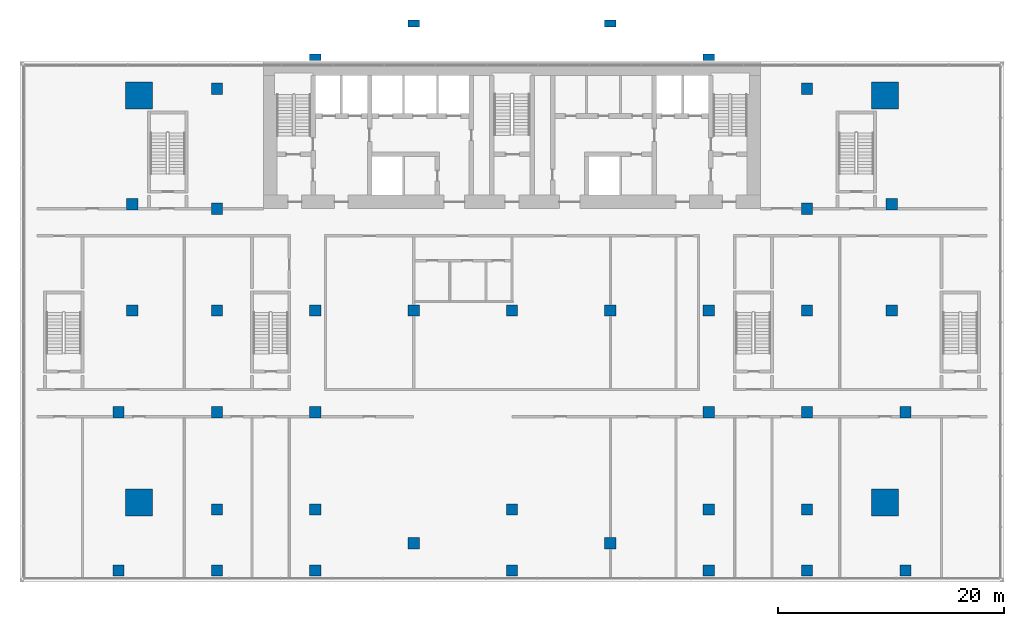
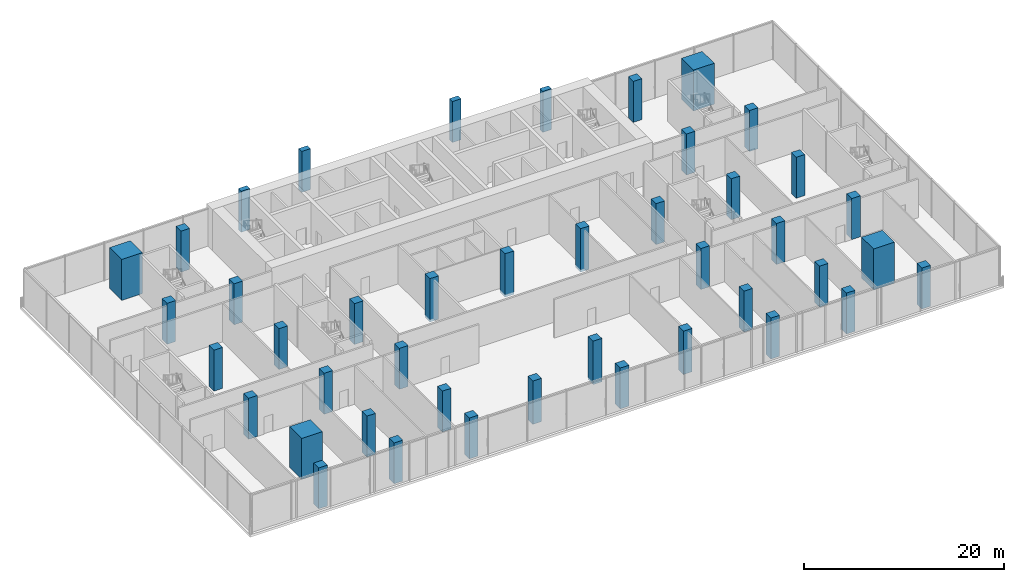
# One storey, part 1 of 20: 43 columns.
"""IFC4 building model written with IfcOpenShell, lengths in metres."""

from ifc_helpers import new_model, si_unit, direction, frame, origin, origin_2d, place, context, subcontext, project, spatial, rectangle, extrude, material, material_profile, profile_set, type_object, element, save


model = new_model("IFC4")

# Units and contexts
model_context = context("Model", 3, precision=1e-05, world=origin(), true_north=direction((0.0, 1.0)))
body_context = subcontext(model_context, "Body", "Model", "MODEL_VIEW")
ifc_project = project(units=[si_unit("LENGTHUNIT", "METRE"), si_unit("AREAUNIT", "SQUARE_METRE"), si_unit("VOLUMEUNIT", "CUBIC_METRE"), si_unit("PLANEANGLEUNIT", "RADIAN"), si_unit("MASSUNIT", "GRAM", prefix="KILO")], contexts=[model_context])

# Site, building, storey
site_placement = place(None, origin())
site = spatial("IfcSite", under=ifc_project, at=site_placement, CompositionType="ELEMENT")
building_placement = place(site_placement, origin())
building = spatial("IfcBuilding", under=site, at=building_placement, Name="Bicima Exchange Tower", CompositionType="ELEMENT")
storey_placement = place(building_placement, frame((0.0, 0.0, 25.0)))
storey = spatial("IfcBuildingStorey", under=building, at=storey_placement, Name="L04", CompositionType="ELEMENT", Elevation=25.0)

# Columns
ifc_material = material(Name="Concrete C60/75", Category="concrete")
ifc_material_profile_1 = material_profile(ifc_material, rectangle(XDim=2.39990234375, YDim=2.39990234375, at=origin_2d()))
ifc_profile_set_1 = profile_set([ifc_material_profile_1], Name="Concrete C60/75")
column_type_1 = type_object("IfcColumnType", Name="Reinforced concrete mega column 2400 x 2400", PredefinedType="COLUMN", material=ifc_profile_set_1)
for number, where, z_axis, x_axis, name in (
    (1, (-33.0, -39.0, 0.0), (0.0, 0.0, 1.0), (1.0, 0.0, 0.0), "Mega column"),
    (2, (-33.0, -3.0, 0.0), (0.0, 0.0, 1.0), (1.0, 0.0, 0.0), "Mega column"),
    (3, (33.0, -39.0, 0.0), (0.0, 0.0, 1.0), (1.0, 0.0, 0.0), "Mega column"),
    (4, (33.0, -3.0, 0.0), (0.0, 0.0, 1.0), (1.0, 0.0, 0.0), "Mega column"),
):
    element("IfcColumn", number, at=place(storey_placement, frame(where, z_axis=z_axis, x_axis=x_axis)), inside=storey, type_object=column_type_1, Name=name, PredefinedType="COLUMN", context=body_context, shape_type="SweptSolid", body=[
        extrude(rectangle(XDim=2.39990234375, YDim=2.39990234375, at=origin_2d()), origin(), (0.0, 0.0, 1.0), 5.0),
    ])
ifc_material_profile_2 = material_profile(ifc_material, rectangle(XDim=1.0, YDim=1.0, at=origin_2d()))
ifc_profile_set_2 = profile_set([ifc_material_profile_2], Name="Concrete C60/75")
column_type_2 = type_object("IfcColumnType", Name="Reinforced concrete podium column 1000 x 1000", PredefinedType="COLUMN", material=ifc_profile_set_2)
for number, where, z_axis, x_axis, name in (
    (5, (-26.10009765625, -39.60009765625, 0.0), (0.0, 0.0, 1.0), (1.0, 0.0, 0.0), "Column"),
    (6, (-26.10009765625, -2.39990234375, 0.0), (0.0, 0.0, 1.0), (1.0, 0.0, 0.0), "Column"),
    (7, (-17.39990234375, -39.60009765625, 0.0), (0.0, 0.0, 1.0), (1.0, 0.0, 0.0), "Column"),
):
    element("IfcColumn", number, at=place(storey_placement, frame(where, z_axis=z_axis, x_axis=x_axis)), inside=storey, type_object=column_type_2, Name=name, PredefinedType="COLUMN", context=body_context, shape_type="SweptSolid", body=[
        extrude(rectangle(XDim=1.0, YDim=1.0, at=origin_2d()), origin(), (0.0, 0.0, 1.0), 5.0),
    ])
for number, where, z_axis, x_axis, name in (
    (8, (-8.699951171875, -42.591064453125, -0.300048828125), (0.0, 0.0, 1.0), (1.0, 0.0, 0.0), "Column"),
    (9, (0.0, -39.60009765625, -0.300048828125), (0.0, 0.0, 1.0), (1.0, 0.0, 0.0), "Column"),
    (10, (8.699951171875, -42.591064453125, -0.300048828125), (0.0, 0.0, 1.0), (1.0, 0.0, 0.0), "Column"),
):
    element("IfcColumn", number, at=place(storey_placement, frame(where, z_axis=z_axis, x_axis=x_axis)), inside=storey, type_object=column_type_2, Name=name, PredefinedType="COLUMN", context=body_context, shape_type="SweptSolid", body=[
        extrude(rectangle(XDim=1.0, YDim=1.0, at=origin_2d()), origin(), (0.0, 0.0, 1.0), 5.300048828125),
    ])
for number, where, z_axis, x_axis, name in (
    (11, (17.39990234375, -39.60009765625, 0.0), (0.0, 0.0, 1.0), (1.0, 0.0, 0.0), "Column"),
    (12, (26.10009765625, -39.60009765625, 0.0), (0.0, 0.0, 1.0), (1.0, 0.0, 0.0), "Column"),
    (13, (26.10009765625, -2.39990234375, 0.0), (0.0, 0.0, 1.0), (1.0, 0.0, 0.0), "Column"),
    (14, (-33.60009765625, -12.60009765625, 0.0), (0.0, 0.0, 1.0), (1.0, 0.0, 0.0), "Column"),
    (15, (-33.60009765625, -22.0, 0.0), (0.0, 0.0, 1.0), (1.0, 0.0, 0.0), "Column"),
    (16, (33.60009765625, -12.60009765625, 0.0), (0.0, 0.0, 1.0), (1.0, 0.0, 0.0), "Column"),
    (17, (33.60009765625, -22.0, 0.0), (0.0, 0.0, 1.0), (1.0, 0.0, 0.0), "Column"),
    (18, (-26.10009765625, -22.0, 0.0), (0.0, 0.0, 1.0), (1.0, 0.0, 0.0), "Column"),
    (19, (-17.39990234375, -22.0, 0.0), (0.0, 0.0, 1.0), (1.0, 0.0, 0.0), "Column"),
):
    element("IfcColumn", number, at=place(storey_placement, frame(where, z_axis=z_axis, x_axis=x_axis)), inside=storey, type_object=column_type_2, Name=name, PredefinedType="COLUMN", context=body_context, shape_type="SweptSolid", body=[
        extrude(rectangle(XDim=1.0, YDim=1.0, at=origin_2d()), origin(), (0.0, 0.0, 1.0), 5.0),
    ])
for number, where, z_axis, x_axis, name in (
    (20, (-8.699951171875, -22.0, -0.300048828125), (0.0, 0.0, 1.0), (1.0, 0.0, 0.0), "Column"),
    (21, (0.0, -22.0, -0.300048828125), (0.0, 0.0, 1.0), (1.0, 0.0, 0.0), "Column"),
    (22, (8.699951171875, -22.0, -0.300048828125), (0.0, 0.0, 1.0), (1.0, 0.0, 0.0), "Column"),
):
    element("IfcColumn", number, at=place(storey_placement, frame(where, z_axis=z_axis, x_axis=x_axis)), inside=storey, type_object=column_type_2, Name=name, PredefinedType="COLUMN", context=body_context, shape_type="SweptSolid", body=[
        extrude(rectangle(XDim=1.0, YDim=1.0, at=origin_2d()), origin(), (0.0, 0.0, 1.0), 5.300048828125),
    ])
for number, where, z_axis, x_axis, name in (
    (23, (17.39990234375, -22.0, 0.0), (0.0, 0.0, 1.0), (1.0, 0.0, 0.0), "Column"),
    (24, (26.10009765625, -22.0, 0.0), (0.0, 0.0, 1.0), (1.0, 0.0, 0.0), "Column"),
    (25, (-34.800048828125, -31.0, 0.0), (0.0, 0.0, 1.0), (1.0, 0.0, 0.0), "Column"),
    (26, (-34.800048828125, -45.0, 0.0), (0.0, 0.0, 1.0), (1.0, 0.0, 0.0), "Column"),
    (27, (-26.10009765625, -13.0, 0.0), (0.0, 0.0, 1.0), (1.0, 0.0, 0.0), "Column"),
    (28, (-26.10009765625, -31.0, 0.0), (0.0, 0.0, 1.0), (1.0, 0.0, 0.0), "Column"),
    (29, (-26.10009765625, -45.0, 0.0), (0.0, 0.0, 1.0), (1.0, 0.0, 0.0), "Column"),
    (30, (-17.39990234375, -31.0, 0.0), (0.0, 0.0, 1.0), (1.0, 0.0, 0.0), "Column"),
    (31, (-17.39990234375, -45.0, 0.0), (0.0, 0.0, 1.0), (1.0, 0.0, 0.0), "Column"),
    (32, (0.0, -45.0, 0.0), (0.0, 0.0, 1.0), (1.0, 0.0, 0.0), "Column"),
    (33, (17.39990234375, -31.0, 0.0), (0.0, 0.0, 1.0), (1.0, 0.0, 0.0), "Column"),
    (34, (17.39990234375, -45.0, 0.0), (0.0, 0.0, 1.0), (1.0, 0.0, 0.0), "Column"),
    (35, (26.10009765625, -13.0, 0.0), (0.0, 0.0, 1.0), (1.0, 0.0, 0.0), "Column"),
    (36, (26.10009765625, -31.0, 0.0), (0.0, 0.0, 1.0), (1.0, 0.0, 0.0), "Column"),
    (37, (26.10009765625, -45.0, 0.0), (0.0, 0.0, 1.0), (1.0, 0.0, 0.0), "Column"),
    (38, (34.800048828125, -31.0, 0.0), (0.0, 0.0, 1.0), (1.0, 0.0, 0.0), "Column"),
    (39, (34.800048828125, -45.0, 0.0), (0.0, 0.0, 1.0), (1.0, 0.0, 0.0), "Column"),
):
    element("IfcColumn", number, at=place(storey_placement, frame(where, z_axis=z_axis, x_axis=x_axis)), inside=storey, type_object=column_type_2, Name=name, PredefinedType="COLUMN", context=body_context, shape_type="SweptSolid", body=[
        extrude(rectangle(XDim=1.0, YDim=1.0, at=origin_2d()), origin(), (0.0, 0.0, 1.0), 5.0),
    ])
ifc_material_profile_3 = material_profile(ifc_material, rectangle(XDim=1.0, YDim=0.60009765625, at=origin_2d()))
ifc_profile_set_3 = profile_set([ifc_material_profile_3], Name="Concrete C60/75")
column_type_3 = type_object("IfcColumnType", Name="Reinforced concrete rear pilaster column 1000 x 600", PredefinedType="COLUMN", material=ifc_profile_set_3)
for number, where, z_axis, x_axis, name in (
    (40, (-8.699951171875, 3.39111328125, 0.0), (0.0, 0.0, 1.0), (1.0, 0.0, 0.0), "Column"),
    (41, (-17.39990234375, 0.39990234375, 0.0), (0.0, 0.0, 1.0), (1.0, 0.0, 0.0), "Column"),
    (42, (8.699951171875, 3.39111328125, 0.0), (0.0, 0.0, 1.0), (1.0, 0.0, 0.0), "Column"),
    (43, (17.39990234375, 0.39990234375, 0.0), (0.0, 0.0, 1.0), (1.0, 0.0, 0.0), "Column"),
):
    element("IfcColumn", number, at=place(storey_placement, frame(where, z_axis=z_axis, x_axis=x_axis)), inside=storey, type_object=column_type_3, Name=name, PredefinedType="COLUMN", context=body_context, shape_type="SweptSolid", body=[
        extrude(rectangle(XDim=1.0, YDim=0.60009765625, at=origin_2d()), origin(), (0.0, 0.0, 1.0), 5.0),
    ])

save(model, "model.ifc")
